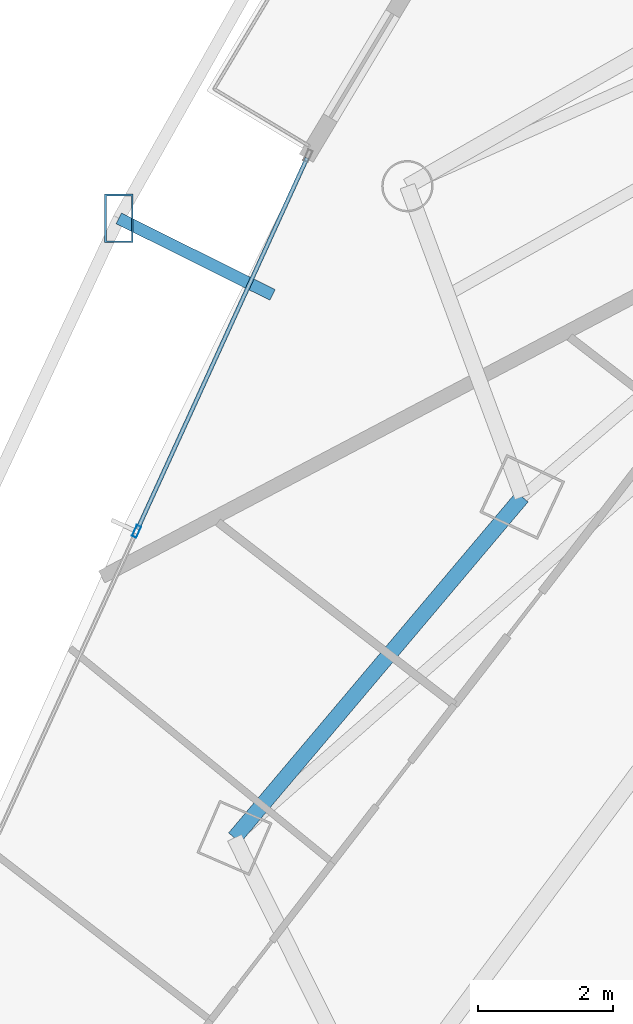
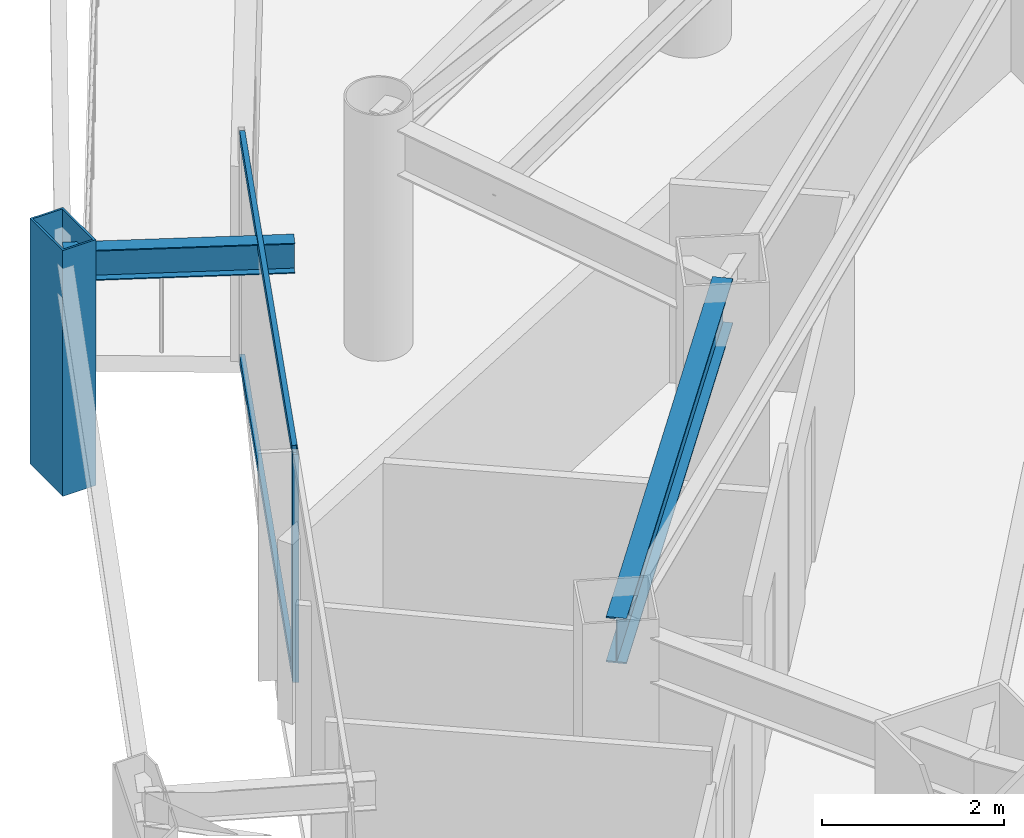
# One storey, part 8 of 34: 4 members, 2 beams, 1 element without a shape of its own.
"""IFC4 building model written with IfcOpenShell, lengths in metres."""

from ifc_helpers import new_model, si_unit, direction, frame, origin, origin_2d, place, context, subcontext, project, spatial, hollow_rectangle, i_section, extrude, material, layer, layer_set, material_profile, profile_set, type_object, element, aggregate, save


model = new_model("IFC4")

# Units and contexts
model_context = context("Model", 3, precision=1e-05, world=origin(), true_north=direction((0.0, 1.0)))
body_context = subcontext(model_context, "Body", "Model", "MODEL_VIEW")
ifc_project = project(units=[si_unit("LENGTHUNIT", "METRE"), si_unit("AREAUNIT", "SQUARE_METRE"), si_unit("VOLUMEUNIT", "CUBIC_METRE"), si_unit("PLANEANGLEUNIT", "RADIAN"), si_unit("MASSUNIT", "GRAM", prefix="KILO")], contexts=[model_context])

# Site, building, storey
site_placement = place(None, origin())
site = spatial("IfcSite", under=ifc_project, at=site_placement, CompositionType="ELEMENT")
building_placement = place(site_placement, origin())
building = spatial("IfcBuilding", under=site, at=building_placement, Name="Orvanel Arch Residences", CompositionType="ELEMENT")
storey_placement = place(building_placement, frame((0.0, 0.0, 77.449951171875)))
storey = spatial("IfcBuildingStorey", under=building, at=storey_placement, Name="L21", CompositionType="ELEMENT", Elevation=77.449951171875)

# Member
ifc_material_1 = material(Name="Structural steel AS/NZS 3678 Grade 350", Category="steel")
ifc_material_profile_1 = material_profile(ifc_material_1, hollow_rectangle(XDim=0.419921875, YDim=0.719970703125, WallThickness=0.02490234375, at=origin_2d()), Name="RHS720x420x25")
ifc_profile_set_1 = profile_set([ifc_material_profile_1], Name="Structural steel AS/NZS 3678 Grade 350")
member_type_1 = type_object("IfcMemberType", Name="CH-720RHS-EXT", PredefinedType="CHORD", material=ifc_profile_set_1)
member_1_placement = place(storey_placement, frame((10.3779296875, 23.777099609375, 0.0), z_axis=(0.0, 0.0, 1.0), x_axis=(1.0, 0.0, 0.0)))
element("IfcMember", 1, at=member_1_placement, inside=storey, type_object=member_type_1, Name="L21 Outer Perimeter Frame Post 03", PredefinedType="CHORD", context=body_context, shape_type="SweptSolid", body=[
    extrude(hollow_rectangle(XDim=0.419921875, YDim=0.719970703125, WallThickness=0.02490234375, at=origin_2d()), origin(), (0.0, 0.0, 1.0), 3.300048828125),
])

# Curtain wall, member
ifc_material_2 = material(Name="Bronze-anodised aluminium AA6063-T6", Category="aluminium")
ifc_layer = layer(ifc_material_2, 0.179931640625)
ifc_layer_set = layer_set([ifc_layer], Name="Bronze-anodised aluminium AA6063-T6")
curtain_wall_type = type_object("IfcCurtainWallType", Name="CW2-LOW-SYS", PredefinedType="NOTDEFINED", material=ifc_layer_set)
curtain_wall_placement = place(storey_placement, origin())
curtain_wall = element("IfcCurtainWall", 2, at=curtain_wall_placement, inside=storey, type_object=curtain_wall_type, Name="L21 CW2-LOW-SYS Unitised Curtain Wall", PredefinedType="NOTDEFINED")
ifc_material_profile_2 = material_profile(ifc_material_2, hollow_rectangle(XDim=0.070068359375, YDim=0.179931640625, WallThickness=0.00439453125, at=origin_2d()), Name="ALU180x70x4.5")
ifc_profile_set_2 = profile_set([ifc_material_profile_2], Name="Bronze-anodised aluminium AA6063-T6")
member_type_2 = type_object("IfcMemberType", Name="MUL-180x70", PredefinedType="MULLION", material=ifc_profile_set_2)
member_2_placement = place(storey_placement, frame((10.640625, 19.1298828125, 0.0), z_axis=(0.0, 0.0, 1.0), x_axis=(0.909616944848, -0.415447967434, 0.0)))
member_2 = element("IfcMember", 3, at=member_2_placement, type_object=member_type_2, Name="CW-S2 mullion 2", PredefinedType="MULLION", context=body_context, shape_type="SweptSolid", body=[
    extrude(hollow_rectangle(XDim=0.070068359375, YDim=0.179931640625, WallThickness=0.00439453125, at=origin_2d()), origin(), (0.0, 0.0, 1.0), 3.06005859375),
])

# Beams
ifc_material_3 = material(Name="Structural steel AS/NZS 3679.1 Grade 300 (300 MPa)", Category="steel")
ifc_material_profile_3 = material_profile(ifc_material_3, i_section(OverallWidth=0.177978515625, OverallDepth=0.406005859375, WebThickness=0.0078125, FlangeThickness=0.0126953125, at=origin_2d()), Name="410UB59.7")
ifc_profile_set_3 = profile_set([ifc_material_profile_3], Name="Structural steel AS/NZS 3679.1 Grade 300 (300 MPa)")
beam_type_1 = type_object("IfcBeamType", Name="OB-410UB-EXT", PredefinedType="SPANDREL", material=ifc_profile_set_3)
beam_1_placement = place(storey_placement, frame((12.660888671875, 22.64111328125, 2.85693359375), z_axis=(-0.895287212357, 0.445489402107, 0.0), x_axis=(-0.445489402107, -0.895287212357, 0.0)))
element("IfcBeam", 4, at=beam_1_placement, inside=storey, type_object=beam_type_1, Name="L21 Outer Frame Radial Tie Beam 03", PredefinedType="SPANDREL", context=body_context, shape_type="SweptSolid", body=[
    extrude(i_section(OverallWidth=0.177978515625, OverallDepth=0.406005859375, WebThickness=0.0078125, FlangeThickness=0.0126953125, at=origin_2d()), origin(), (0.0, 0.0, 1.0), 2.550048828125),
])
ifc_material_profile_4 = material_profile(ifc_material_3, i_section(OverallWidth=0.22900390625, OverallDepth=0.612060546875, WebThickness=0.011962890625, FlangeThickness=0.01953125, at=origin_2d()), Name="610UB125")
ifc_profile_set_4 = profile_set([ifc_material_profile_4], Name="Structural steel AS/NZS 3679.1 Grade 300 (300 MPa)")
beam_type_2 = type_object("IfcBeamType", Name="SP-610UB", PredefinedType="SPANDREL", material=ifc_profile_set_4)
beam_2_placement = place(storey_placement, frame((16.366943359375, 19.64208984375, 2.754150390625), z_axis=(-0.644950329775, -0.764224490659, 0.0), x_axis=(0.764224490659, -0.644950329775, 0.0)))
element("IfcBeam", 5, at=beam_2_placement, inside=storey, type_object=beam_type_2, Name="L21 Perimeter Spandrel Beam 01", PredefinedType="SPANDREL", context=body_context, shape_type="SweptSolid", body=[
    extrude(i_section(OverallWidth=0.22900390625, OverallDepth=0.612060546875, WebThickness=0.011962890625, FlangeThickness=0.01953125, at=origin_2d()), origin(), (0.0, 0.0, 1.0), 6.623779296875),
])

# Member
ifc_material_profile_5 = material_profile(ifc_material_2, hollow_rectangle(XDim=0.06005859375, YDim=0.135009765625, WallThickness=0.00390625, at=origin_2d()), Name="ALU135x60x4")
ifc_profile_set_5 = profile_set([ifc_material_profile_5], Name="Bronze-anodised aluminium AA6063-T6")
member_type_3 = type_object("IfcMemberType", Name="TRN-135x60", PredefinedType="USERDEFINED", material=ifc_profile_set_5)
member_3_placement = place(storey_placement, frame((13.1728515625, 24.67431640625, 0.030029296875), z_axis=(-0.415432220191, -0.909624136898, 0.0), x_axis=(0.909624136898, -0.415432220191, 0.0)))
member_3 = element("IfcMember", 6, at=member_3_placement, type_object=member_type_3, Name="CW-S2 transom 1.1", ObjectType="TRANSOM", PredefinedType="USERDEFINED", context=body_context, shape_type="SweptSolid", body=[
    extrude(hollow_rectangle(XDim=0.06005859375, YDim=0.135009765625, WallThickness=0.00390625, at=origin_2d()), origin(), (0.0, 0.0, 1.0), 6.06005859375),
])

member_4_placement = place(storey_placement, frame((13.1728515625, 24.67431640625, 3.030029296875), z_axis=(-0.415432220191, -0.909624136898, 0.0), x_axis=(0.909624136898, -0.415432220191, 0.0)))
member_4 = element("IfcMember", 7, at=member_4_placement, type_object=member_type_3, Name="CW-S2 transom 1.2", ObjectType="TRANSOM", PredefinedType="USERDEFINED", context=body_context, shape_type="SweptSolid", body=[
    extrude(hollow_rectangle(XDim=0.06005859375, YDim=0.135009765625, WallThickness=0.00390625, at=origin_2d()), origin(), (0.0, 0.0, 1.0), 6.06005859375),
])

aggregate(curtain_wall, [member_2, member_3, member_4])

save(model, "model.ifc")
